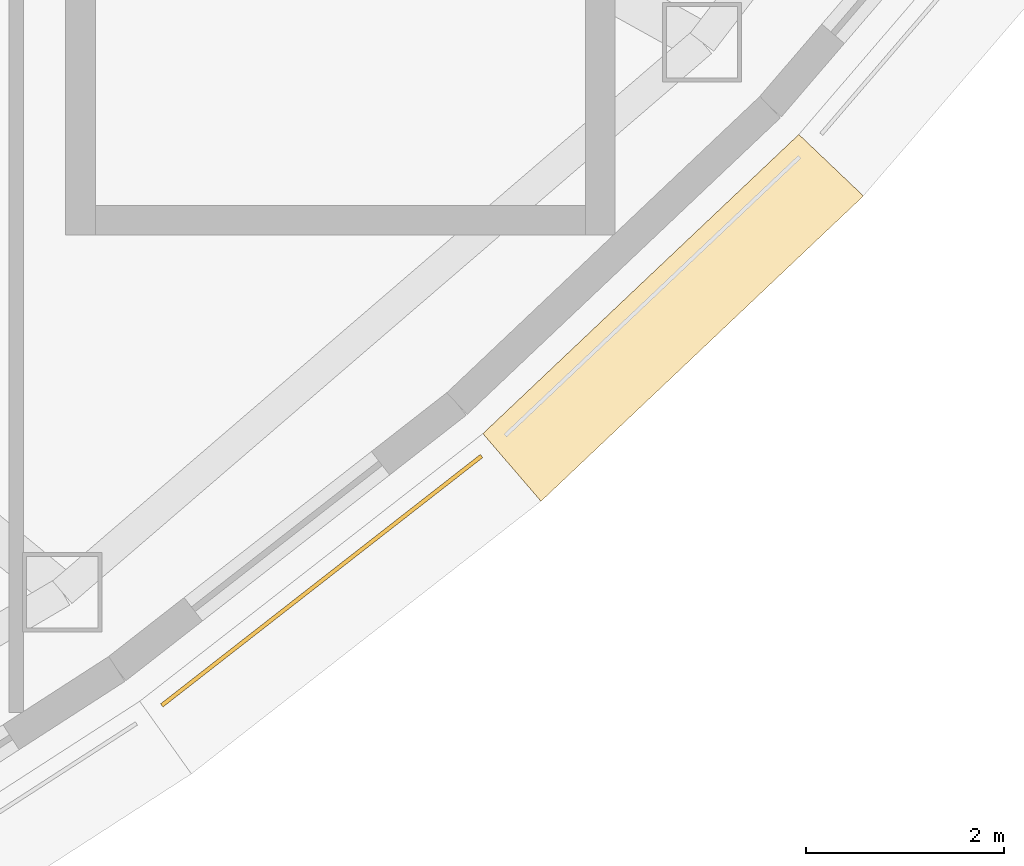
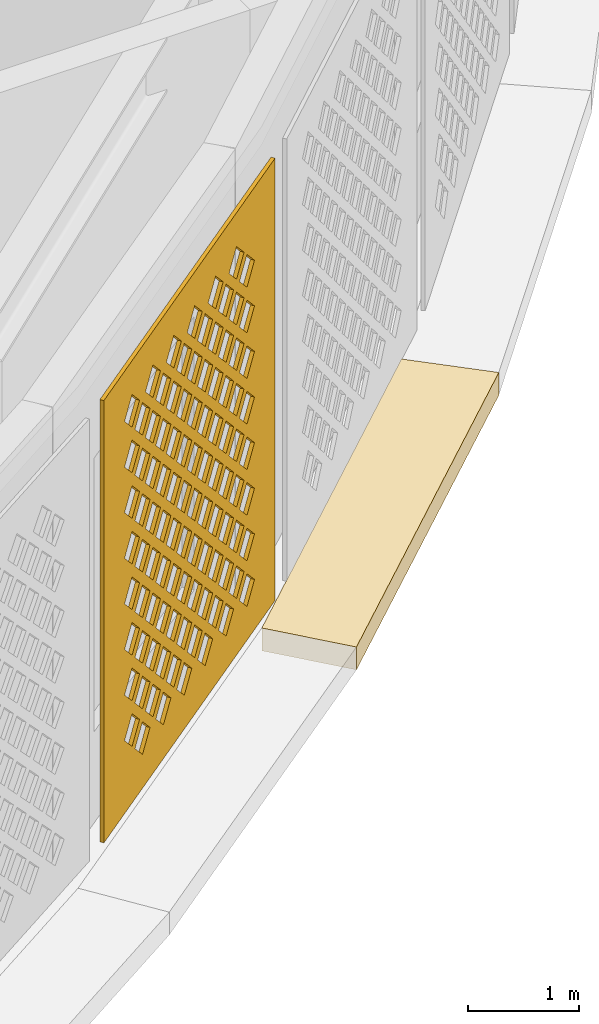
# One storey, part 58 of 63: 2 coverings.
"""IFC4 building model written with IfcOpenShell, lengths in metres."""

from ifc_helpers import new_model, si_unit, direction, frame, origin, place, context, subcontext, project, spatial, polyline, outline, extrude, material, layer, layer_set, type_object, element, save


model = new_model("IFC4")

# Units and contexts
model_context = context("Model", 3, precision=1e-05, world=origin(), true_north=direction((0.0, 1.0)))
body_context = subcontext(model_context, "Body", "Model", "MODEL_VIEW")
ifc_project = project(units=[si_unit("LENGTHUNIT", "METRE"), si_unit("AREAUNIT", "SQUARE_METRE"), si_unit("VOLUMEUNIT", "CUBIC_METRE"), si_unit("PLANEANGLEUNIT", "RADIAN"), si_unit("MASSUNIT", "GRAM", prefix="KILO")], contexts=[model_context])

# Site, building, storey
site_placement = place(None, origin())
site = spatial("IfcSite", under=ifc_project, at=site_placement, CompositionType="ELEMENT")
building_placement = place(site_placement, origin())
building = spatial("IfcBuilding", under=site, at=building_placement, Name="Noorbagh Ring Tower", CompositionType="ELEMENT")
storey_placement = place(building_placement, frame((0.0, 0.0, 25.0)))
storey = spatial("IfcBuildingStorey", under=building, at=storey_placement, Name="L04", CompositionType="ELEMENT", Elevation=25.0)

# Coverings
ifc_material_1 = material(Name="Red sandstone eave", Category="masonry")
covering_type_1 = type_object("IfcCoveringType", Name="STY-CHHAJJA", PredefinedType="USERDEFINED", material=ifc_material_1)
covering_1_placement = place(storey_placement, frame((0.0, 0.0, -0.25)))
element("IfcCovering", 1, at=covering_1_placement, inside=storey, type_object=covering_type_1, Name="Chhajja eave", ObjectType="CHHAJJA", PredefinedType="USERDEFINED", context=body_context, shape_type="SweptSolid", body=[
    extrude(outline(polyline([(38.71435546875, -26.70458984375), (41.906494140625, -23.682373046875), (42.55908203125, -24.3037109375), (39.3017578125, -27.3876953125), (38.71435546875, -26.70458984375)])), origin(), (0.0, 0.0, 1.0), 0.25),
])
ifc_material_2 = material(Name="Red sandstone jali", Category="masonry")
ifc_layer = layer(ifc_material_2, 0.0400390625)
ifc_layer_set = layer_set([ifc_layer], Name="Red sandstone jali")
covering_type_2 = type_object("IfcCoveringType", Name="STY-JALI", PredefinedType="USERDEFINED", material=ifc_layer_set)
covering_2_placement = place(storey_placement, frame((35.48291015625, -29.4658203125, 0.449951171875), z_axis=(0.614979917433, -0.788542770656, 0.0), x_axis=(0.788542770656, 0.614979917433, 0.0)))
element("IfcCovering", 2, at=covering_2_placement, inside=storey, type_object=covering_type_2, Name="Jali screen", ObjectType="SCREEN", PredefinedType="USERDEFINED", context=body_context, shape_type="SweptSolid", body=[
    extrude(outline(polyline([(0.0, 0.0), (4.09619140625, 0.0), (4.09619140625, 4.85009765625), (0.0, 4.85009765625), (0.0, 0.0)]), holes=[polyline([(0.7431640625, 0.550048828125), (0.923095703125, 0.3701171875), (1.10302734375, 0.550048828125), (0.923095703125, 0.72998046875), (0.7431640625, 0.550048828125)]), polyline([(1.2431640625, 0.550048828125), (1.423095703125, 0.3701171875), (1.60302734375, 0.550048828125), (1.423095703125, 0.72998046875), (1.2431640625, 0.550048828125)]), polyline([(1.7431640625, 0.550048828125), (1.923095703125, 0.3701171875), (2.10302734375, 0.550048828125), (1.923095703125, 0.72998046875), (1.7431640625, 0.550048828125)]), polyline([(2.2431640625, 0.550048828125), (2.423095703125, 0.3701171875), (2.60302734375, 0.550048828125), (2.423095703125, 0.72998046875), (2.2431640625, 0.550048828125)]), polyline([(2.7431640625, 0.550048828125), (2.923095703125, 0.3701171875), (3.10302734375, 0.550048828125), (2.923095703125, 0.72998046875), (2.7431640625, 0.550048828125)]), polyline([(3.2431640625, 0.550048828125), (3.423095703125, 0.3701171875), (3.60302734375, 0.550048828125), (3.423095703125, 0.72998046875), (3.2431640625, 0.550048828125)]), polyline([(0.4931640625, 0.800048828125), (0.673095703125, 0.6201171875), (0.85302734375, 0.800048828125), (0.673095703125, 0.97998046875), (0.4931640625, 0.800048828125)]), polyline([(0.9931640625, 0.800048828125), (1.173095703125, 0.6201171875), (1.35302734375, 0.800048828125), (1.173095703125, 0.97998046875), (0.9931640625, 0.800048828125)]), polyline([(1.4931640625, 0.800048828125), (1.673095703125, 0.6201171875), (1.85302734375, 0.800048828125), (1.673095703125, 0.97998046875), (1.4931640625, 0.800048828125)]), polyline([(1.9931640625, 0.800048828125), (2.173095703125, 0.6201171875), (2.35302734375, 0.800048828125), (2.173095703125, 0.97998046875), (1.9931640625, 0.800048828125)]), polyline([(2.4931640625, 0.800048828125), (2.673095703125, 0.6201171875), (2.85302734375, 0.800048828125), (2.673095703125, 0.97998046875), (2.4931640625, 0.800048828125)]), polyline([(2.9931640625, 0.800048828125), (3.173095703125, 0.6201171875), (3.35302734375, 0.800048828125), (3.173095703125, 0.97998046875), (2.9931640625, 0.800048828125)]), polyline([(0.7431640625, 1.050048828125), (0.923095703125, 0.8701171875), (1.10302734375, 1.050048828125), (0.923095703125, 1.22998046875), (0.7431640625, 1.050048828125)]), polyline([(1.2431640625, 1.050048828125), (1.423095703125, 0.8701171875), (1.60302734375, 1.050048828125), (1.423095703125, 1.22998046875), (1.2431640625, 1.050048828125)]), polyline([(1.7431640625, 1.050048828125), (1.923095703125, 0.8701171875), (2.10302734375, 1.050048828125), (1.923095703125, 1.22998046875), (1.7431640625, 1.050048828125)]), polyline([(2.2431640625, 1.050048828125), (2.423095703125, 0.8701171875), (2.60302734375, 1.050048828125), (2.423095703125, 1.22998046875), (2.2431640625, 1.050048828125)]), polyline([(2.7431640625, 1.050048828125), (2.923095703125, 0.8701171875), (3.10302734375, 1.050048828125), (2.923095703125, 1.22998046875), (2.7431640625, 1.050048828125)]), polyline([(3.2431640625, 1.050048828125), (3.423095703125, 0.8701171875), (3.60302734375, 1.050048828125), (3.423095703125, 1.22998046875), (3.2431640625, 1.050048828125)]), polyline([(0.4931640625, 1.300048828125), (0.673095703125, 1.1201171875), (0.85302734375, 1.300048828125), (0.673095703125, 1.47998046875), (0.4931640625, 1.300048828125)]), polyline([(0.9931640625, 1.300048828125), (1.173095703125, 1.1201171875), (1.35302734375, 1.300048828125), (1.173095703125, 1.47998046875), (0.9931640625, 1.300048828125)]), polyline([(1.4931640625, 1.300048828125), (1.673095703125, 1.1201171875), (1.85302734375, 1.300048828125), (1.673095703125, 1.47998046875), (1.4931640625, 1.300048828125)]), polyline([(1.9931640625, 1.300048828125), (2.173095703125, 1.1201171875), (2.35302734375, 1.300048828125), (2.173095703125, 1.47998046875), (1.9931640625, 1.300048828125)]), polyline([(2.4931640625, 1.300048828125), (2.673095703125, 1.1201171875), (2.85302734375, 1.300048828125), (2.673095703125, 1.47998046875), (2.4931640625, 1.300048828125)]), polyline([(2.9931640625, 1.300048828125), (3.173095703125, 1.1201171875), (3.35302734375, 1.300048828125), (3.173095703125, 1.47998046875), (2.9931640625, 1.300048828125)]), polyline([(0.7431640625, 1.550048828125), (0.923095703125, 1.3701171875), (1.10302734375, 1.550048828125), (0.923095703125, 1.72998046875), (0.7431640625, 1.550048828125)]), polyline([(1.2431640625, 1.550048828125), (1.423095703125, 1.3701171875), (1.60302734375, 1.550048828125), (1.423095703125, 1.72998046875), (1.2431640625, 1.550048828125)]), polyline([(1.7431640625, 1.550048828125), (1.923095703125, 1.3701171875), (2.10302734375, 1.550048828125), (1.923095703125, 1.72998046875), (1.7431640625, 1.550048828125)]), polyline([(2.2431640625, 1.550048828125), (2.423095703125, 1.3701171875), (2.60302734375, 1.550048828125), (2.423095703125, 1.72998046875), (2.2431640625, 1.550048828125)]), polyline([(2.7431640625, 1.550048828125), (2.923095703125, 1.3701171875), (3.10302734375, 1.550048828125), (2.923095703125, 1.72998046875), (2.7431640625, 1.550048828125)]), polyline([(3.2431640625, 1.550048828125), (3.423095703125, 1.3701171875), (3.60302734375, 1.550048828125), (3.423095703125, 1.72998046875), (3.2431640625, 1.550048828125)]), polyline([(0.4931640625, 1.800048828125), (0.673095703125, 1.6201171875), (0.85302734375, 1.800048828125), (0.673095703125, 1.97998046875), (0.4931640625, 1.800048828125)]), polyline([(0.9931640625, 1.800048828125), (1.173095703125, 1.6201171875), (1.35302734375, 1.800048828125), (1.173095703125, 1.97998046875), (0.9931640625, 1.800048828125)]), polyline([(1.4931640625, 1.800048828125), (1.673095703125, 1.6201171875), (1.85302734375, 1.800048828125), (1.673095703125, 1.97998046875), (1.4931640625, 1.800048828125)]), polyline([(1.9931640625, 1.800048828125), (2.173095703125, 1.6201171875), (2.35302734375, 1.800048828125), (2.173095703125, 1.97998046875), (1.9931640625, 1.800048828125)]), polyline([(2.4931640625, 1.800048828125), (2.673095703125, 1.6201171875), (2.85302734375, 1.800048828125), (2.673095703125, 1.97998046875), (2.4931640625, 1.800048828125)]), polyline([(2.9931640625, 1.800048828125), (3.173095703125, 1.6201171875), (3.35302734375, 1.800048828125), (3.173095703125, 1.97998046875), (2.9931640625, 1.800048828125)]), polyline([(0.7431640625, 2.050048828125), (0.923095703125, 1.8701171875), (1.10302734375, 2.050048828125), (0.923095703125, 2.22998046875), (0.7431640625, 2.050048828125)]), polyline([(1.2431640625, 2.050048828125), (1.423095703125, 1.8701171875), (1.60302734375, 2.050048828125), (1.423095703125, 2.22998046875), (1.2431640625, 2.050048828125)]), polyline([(1.7431640625, 2.050048828125), (1.923095703125, 1.8701171875), (2.10302734375, 2.050048828125), (1.923095703125, 2.22998046875), (1.7431640625, 2.050048828125)]), polyline([(2.2431640625, 2.050048828125), (2.423095703125, 1.8701171875), (2.60302734375, 2.050048828125), (2.423095703125, 2.22998046875), (2.2431640625, 2.050048828125)]), polyline([(2.7431640625, 2.050048828125), (2.923095703125, 1.8701171875), (3.10302734375, 2.050048828125), (2.923095703125, 2.22998046875), (2.7431640625, 2.050048828125)]), polyline([(3.2431640625, 2.050048828125), (3.423095703125, 1.8701171875), (3.60302734375, 2.050048828125), (3.423095703125, 2.22998046875), (3.2431640625, 2.050048828125)]), polyline([(0.4931640625, 2.300048828125), (0.673095703125, 2.1201171875), (0.85302734375, 2.300048828125), (0.673095703125, 2.47998046875), (0.4931640625, 2.300048828125)]), polyline([(0.9931640625, 2.300048828125), (1.173095703125, 2.1201171875), (1.35302734375, 2.300048828125), (1.173095703125, 2.47998046875), (0.9931640625, 2.300048828125)]), polyline([(1.4931640625, 2.300048828125), (1.673095703125, 2.1201171875), (1.85302734375, 2.300048828125), (1.673095703125, 2.47998046875), (1.4931640625, 2.300048828125)]), polyline([(1.9931640625, 2.300048828125), (2.173095703125, 2.1201171875), (2.35302734375, 2.300048828125), (2.173095703125, 2.47998046875), (1.9931640625, 2.300048828125)]), polyline([(2.4931640625, 2.300048828125), (2.673095703125, 2.1201171875), (2.85302734375, 2.300048828125), (2.673095703125, 2.47998046875), (2.4931640625, 2.300048828125)]), polyline([(2.9931640625, 2.300048828125), (3.173095703125, 2.1201171875), (3.35302734375, 2.300048828125), (3.173095703125, 2.47998046875), (2.9931640625, 2.300048828125)]), polyline([(0.7431640625, 2.550048828125), (0.923095703125, 2.3701171875), (1.10302734375, 2.550048828125), (0.923095703125, 2.72998046875), (0.7431640625, 2.550048828125)]), polyline([(1.2431640625, 2.550048828125), (1.423095703125, 2.3701171875), (1.60302734375, 2.550048828125), (1.423095703125, 2.72998046875), (1.2431640625, 2.550048828125)]), polyline([(1.7431640625, 2.550048828125), (1.923095703125, 2.3701171875), (2.10302734375, 2.550048828125), (1.923095703125, 2.72998046875), (1.7431640625, 2.550048828125)]), polyline([(2.2431640625, 2.550048828125), (2.423095703125, 2.3701171875), (2.60302734375, 2.550048828125), (2.423095703125, 2.72998046875), (2.2431640625, 2.550048828125)]), polyline([(2.7431640625, 2.550048828125), (2.923095703125, 2.3701171875), (3.10302734375, 2.550048828125), (2.923095703125, 2.72998046875), (2.7431640625, 2.550048828125)]), polyline([(3.2431640625, 2.550048828125), (3.423095703125, 2.3701171875), (3.60302734375, 2.550048828125), (3.423095703125, 2.72998046875), (3.2431640625, 2.550048828125)]), polyline([(0.4931640625, 2.800048828125), (0.673095703125, 2.6201171875), (0.85302734375, 2.800048828125), (0.673095703125, 2.97998046875), (0.4931640625, 2.800048828125)]), polyline([(0.9931640625, 2.800048828125), (1.173095703125, 2.6201171875), (1.35302734375, 2.800048828125), (1.173095703125, 2.97998046875), (0.9931640625, 2.800048828125)]), polyline([(1.4931640625, 2.800048828125), (1.673095703125, 2.6201171875), (1.85302734375, 2.800048828125), (1.673095703125, 2.97998046875), (1.4931640625, 2.800048828125)]), polyline([(1.9931640625, 2.800048828125), (2.173095703125, 2.6201171875), (2.35302734375, 2.800048828125), (2.173095703125, 2.97998046875), (1.9931640625, 2.800048828125)]), polyline([(2.4931640625, 2.800048828125), (2.673095703125, 2.6201171875), (2.85302734375, 2.800048828125), (2.673095703125, 2.97998046875), (2.4931640625, 2.800048828125)]), polyline([(2.9931640625, 2.800048828125), (3.173095703125, 2.6201171875), (3.35302734375, 2.800048828125), (3.173095703125, 2.97998046875), (2.9931640625, 2.800048828125)]), polyline([(0.7431640625, 3.050048828125), (0.923095703125, 2.8701171875), (1.10302734375, 3.050048828125), (0.923095703125, 3.22998046875), (0.7431640625, 3.050048828125)]), polyline([(1.2431640625, 3.050048828125), (1.423095703125, 2.8701171875), (1.60302734375, 3.050048828125), (1.423095703125, 3.22998046875), (1.2431640625, 3.050048828125)]), polyline([(1.7431640625, 3.050048828125), (1.923095703125, 2.8701171875), (2.10302734375, 3.050048828125), (1.923095703125, 3.22998046875), (1.7431640625, 3.050048828125)]), polyline([(2.2431640625, 3.050048828125), (2.423095703125, 2.8701171875), (2.60302734375, 3.050048828125), (2.423095703125, 3.22998046875), (2.2431640625, 3.050048828125)]), polyline([(2.7431640625, 3.050048828125), (2.923095703125, 2.8701171875), (3.10302734375, 3.050048828125), (2.923095703125, 3.22998046875), (2.7431640625, 3.050048828125)]), polyline([(3.2431640625, 3.050048828125), (3.423095703125, 2.8701171875), (3.60302734375, 3.050048828125), (3.423095703125, 3.22998046875), (3.2431640625, 3.050048828125)]), polyline([(0.4931640625, 3.300048828125), (0.673095703125, 3.1201171875), (0.85302734375, 3.300048828125), (0.673095703125, 3.47998046875), (0.4931640625, 3.300048828125)]), polyline([(0.9931640625, 3.300048828125), (1.173095703125, 3.1201171875), (1.35302734375, 3.300048828125), (1.173095703125, 3.47998046875), (0.9931640625, 3.300048828125)]), polyline([(1.4931640625, 3.300048828125), (1.673095703125, 3.1201171875), (1.85302734375, 3.300048828125), (1.673095703125, 3.47998046875), (1.4931640625, 3.300048828125)]), polyline([(1.9931640625, 3.300048828125), (2.173095703125, 3.1201171875), (2.35302734375, 3.300048828125), (2.173095703125, 3.47998046875), (1.9931640625, 3.300048828125)]), polyline([(2.4931640625, 3.300048828125), (2.673095703125, 3.1201171875), (2.85302734375, 3.300048828125), (2.673095703125, 3.47998046875), (2.4931640625, 3.300048828125)]), polyline([(2.9931640625, 3.300048828125), (3.173095703125, 3.1201171875), (3.35302734375, 3.300048828125), (3.173095703125, 3.47998046875), (2.9931640625, 3.300048828125)]), polyline([(0.7431640625, 3.550048828125), (0.923095703125, 3.3701171875), (1.10302734375, 3.550048828125), (0.923095703125, 3.72998046875), (0.7431640625, 3.550048828125)]), polyline([(1.2431640625, 3.550048828125), (1.423095703125, 3.3701171875), (1.60302734375, 3.550048828125), (1.423095703125, 3.72998046875), (1.2431640625, 3.550048828125)]), polyline([(1.7431640625, 3.550048828125), (1.923095703125, 3.3701171875), (2.10302734375, 3.550048828125), (1.923095703125, 3.72998046875), (1.7431640625, 3.550048828125)]), polyline([(2.2431640625, 3.550048828125), (2.423095703125, 3.3701171875), (2.60302734375, 3.550048828125), (2.423095703125, 3.72998046875), (2.2431640625, 3.550048828125)]), polyline([(2.7431640625, 3.550048828125), (2.923095703125, 3.3701171875), (3.10302734375, 3.550048828125), (2.923095703125, 3.72998046875), (2.7431640625, 3.550048828125)]), polyline([(3.2431640625, 3.550048828125), (3.423095703125, 3.3701171875), (3.60302734375, 3.550048828125), (3.423095703125, 3.72998046875), (3.2431640625, 3.550048828125)]), polyline([(0.4931640625, 3.800048828125), (0.673095703125, 3.6201171875), (0.85302734375, 3.800048828125), (0.673095703125, 3.97998046875), (0.4931640625, 3.800048828125)]), polyline([(0.9931640625, 3.800048828125), (1.173095703125, 3.6201171875), (1.35302734375, 3.800048828125), (1.173095703125, 3.97998046875), (0.9931640625, 3.800048828125)]), polyline([(1.4931640625, 3.800048828125), (1.673095703125, 3.6201171875), (1.85302734375, 3.800048828125), (1.673095703125, 3.97998046875), (1.4931640625, 3.800048828125)]), polyline([(1.9931640625, 3.800048828125), (2.173095703125, 3.6201171875), (2.35302734375, 3.800048828125), (2.173095703125, 3.97998046875), (1.9931640625, 3.800048828125)]), polyline([(2.4931640625, 3.800048828125), (2.673095703125, 3.6201171875), (2.85302734375, 3.800048828125), (2.673095703125, 3.97998046875), (2.4931640625, 3.800048828125)]), polyline([(2.9931640625, 3.800048828125), (3.173095703125, 3.6201171875), (3.35302734375, 3.800048828125), (3.173095703125, 3.97998046875), (2.9931640625, 3.800048828125)]), polyline([(0.7431640625, 4.050048828125), (0.923095703125, 3.8701171875), (1.10302734375, 4.050048828125), (0.923095703125, 4.22998046875), (0.7431640625, 4.050048828125)]), polyline([(1.2431640625, 4.050048828125), (1.423095703125, 3.8701171875), (1.60302734375, 4.050048828125), (1.423095703125, 4.22998046875), (1.2431640625, 4.050048828125)]), polyline([(1.7431640625, 4.050048828125), (1.923095703125, 3.8701171875), (2.10302734375, 4.050048828125), (1.923095703125, 4.22998046875), (1.7431640625, 4.050048828125)]), polyline([(2.2431640625, 4.050048828125), (2.423095703125, 3.8701171875), (2.60302734375, 4.050048828125), (2.423095703125, 4.22998046875), (2.2431640625, 4.050048828125)]), polyline([(2.7431640625, 4.050048828125), (2.923095703125, 3.8701171875), (3.10302734375, 4.050048828125), (2.923095703125, 4.22998046875), (2.7431640625, 4.050048828125)]), polyline([(3.2431640625, 4.050048828125), (3.423095703125, 3.8701171875), (3.60302734375, 4.050048828125), (3.423095703125, 4.22998046875), (3.2431640625, 4.050048828125)]), polyline([(0.4931640625, 4.300048828125), (0.673095703125, 4.1201171875), (0.85302734375, 4.300048828125), (0.673095703125, 4.47998046875), (0.4931640625, 4.300048828125)]), polyline([(0.9931640625, 4.300048828125), (1.173095703125, 4.1201171875), (1.35302734375, 4.300048828125), (1.173095703125, 4.47998046875), (0.9931640625, 4.300048828125)]), polyline([(1.4931640625, 4.300048828125), (1.673095703125, 4.1201171875), (1.85302734375, 4.300048828125), (1.673095703125, 4.47998046875), (1.4931640625, 4.300048828125)]), polyline([(1.9931640625, 4.300048828125), (2.173095703125, 4.1201171875), (2.35302734375, 4.300048828125), (2.173095703125, 4.47998046875), (1.9931640625, 4.300048828125)]), polyline([(2.4931640625, 4.300048828125), (2.673095703125, 4.1201171875), (2.85302734375, 4.300048828125), (2.673095703125, 4.47998046875), (2.4931640625, 4.300048828125)]), polyline([(2.9931640625, 4.300048828125), (3.173095703125, 4.1201171875), (3.35302734375, 4.300048828125), (3.173095703125, 4.47998046875), (2.9931640625, 4.300048828125)])]), origin(), (0.0, 0.0, -1.0), 0.0400390625),
])

save(model, "model.ifc")
